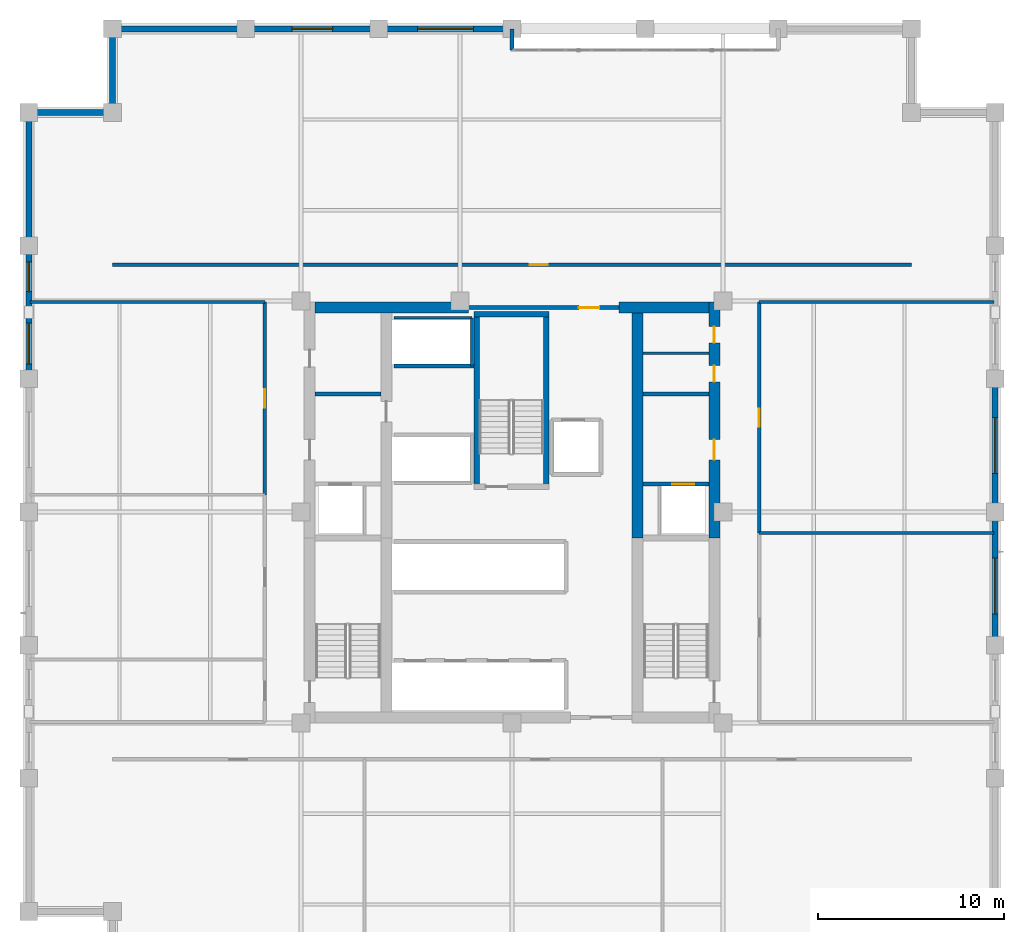
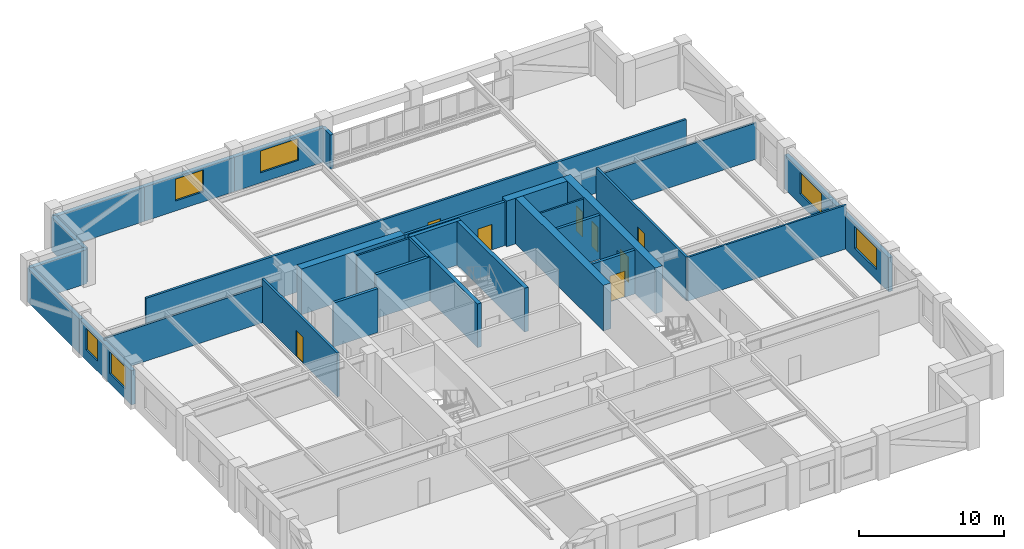
# One storey, part 8 of 11: 31 walls, 8 doors, 6 windows, 14 openings.
"""IFC4 building model written with IfcOpenShell, lengths in metres."""

from ifc_helpers import new_model, si_unit, direction, frame, frame_2d, origin, place, context, subcontext, project, spatial, rectangle, extrude, material, layer, layer_set, type_object, element, fill, save


model = new_model("IFC4")

# Units and contexts
model_context = context("Model", 3, precision=1e-05, world=origin(), true_north=direction((0.0, 1.0)))
body_context = subcontext(model_context, "Body", "Model", "MODEL_VIEW")
ifc_project = project(units=[si_unit("LENGTHUNIT", "METRE"), si_unit("AREAUNIT", "SQUARE_METRE"), si_unit("VOLUMEUNIT", "CUBIC_METRE"), si_unit("PLANEANGLEUNIT", "RADIAN"), si_unit("MASSUNIT", "GRAM", prefix="KILO")], contexts=[model_context])

# Site, building, storey
site_placement = place(None, origin())
site = spatial("IfcSite", under=ifc_project, at=site_placement, CompositionType="ELEMENT")
building_placement = place(site_placement, origin())
building = spatial("IfcBuilding", under=site, at=building_placement, Name="Nhamokura Convention Tower", CompositionType="ELEMENT")
storey_placement = place(building_placement, frame((0.0, 0.0, 133.699951171875)))
storey = spatial("IfcBuildingStorey", under=building, at=storey_placement, Name="L32", CompositionType="ELEMENT", Elevation=133.699951171875)

# Walls
ifc_material_1 = material(Name="Moisture-resistant tile-backer partition", Category="masonry")
ifc_layer_1 = layer(ifc_material_1, 0.139892578125)
ifc_layer_set_1 = layer_set([ifc_layer_1], Name="BathroomWetWall_140")
wall_type_1 = type_object("IfcWallType", Name="BathroomWetWall_140", PredefinedType="STANDARD", material=ifc_layer_set_1)
wall_1_placement = place(storey_placement, frame((39.06005859375, 40.550048828125, 0.0), z_axis=(0.0, 0.0, 1.0), x_axis=(1.0, 0.0, 0.0)))
element("IfcWall", 1, at=wall_1_placement, inside=storey, type_object=wall_type_1, Name="L32 Wall INT-L32-CWNE", PredefinedType="STANDARD", context=body_context, shape_type="SweptSolid", body=[
    extrude(rectangle(XDim=3.530029296875, YDim=0.139892578125, at=frame_2d((1.76513671875, 0.0))), origin(), (0.0, 0.0, 1.0), 3.68505859375),
])
ifc_material_2 = material(Name="Bronze-pigmented precast concrete C45/55", Category="concrete")
ifc_layer_2 = layer(ifc_material_2, 0.320068359375)
ifc_layer_set_2 = layer_set([ifc_layer_2], Name="BronzePrecastSpandrel_320")
wall_type_2 = type_object("IfcWallType", Name="BronzePrecastSpandrel_320", PredefinedType="USERDEFINED", material=ifc_layer_set_2)
wall_2_placement = place(storey_placement, frame((32.0, 58.0, 0.0), z_axis=(0.0, 0.0, 1.0), x_axis=(0.0, -1.0, 0.0)))
element("IfcWall", 2, at=wall_2_placement, inside=storey, type_object=wall_type_2, Name="L32 Scale Slot Cheek Wall NORTHA", ObjectType="SPANDREL_WALL", PredefinedType="USERDEFINED", context=body_context, shape_type="SweptSolid", body=[
    extrude(rectangle(XDim=1.14990234375, YDim=0.239990234375, at=frame_2d((0.574951171875, 0.0))), origin(), (0.0, 0.0, 1.0), 2.885009765625),
])
wall_3_placement = place(storey_placement, frame((10.5, 58.0, 0.0), z_axis=(0.0, 0.0, 1.0), x_axis=(1.0, 0.0, 0.0)))
element("IfcWall", 3, at=wall_3_placement, inside=storey, type_object=wall_type_2, Name="L32 Braced-Bay Precast Wall NORTH 0", ObjectType="SPANDREL_WALL", PredefinedType="USERDEFINED", context=body_context, shape_type="SweptSolid", body=[
    extrude(rectangle(XDim=7.166748046875, YDim=0.320068359375, at=frame_2d((3.58349609375, 0.0))), origin(), (0.0, 0.0, 1.0), 2.885009765625),
])

# Wall, opening, window
wall_4_placement = place(storey_placement, frame((17.666748046875, 58.0, 0.0), z_axis=(0.0, 0.0, 1.0), x_axis=(1.0, 0.0, 0.0)))
wall_4 = element("IfcWall", 4, at=wall_4_placement, inside=storey, type_object=wall_type_2, Name="L32 Masonry-Frame Wall NORTH 1", ObjectType="SPANDREL_WALL", PredefinedType="USERDEFINED", context=body_context, shape_type="SweptSolid", body=[
    extrude(rectangle(XDim=7.16650390625, YDim=0.320068359375, at=frame_2d((3.583251953125, 0.0))), origin(), (0.0, 0.0, 1.0), 2.885009765625),
])
opening_1_placement = place(wall_4_placement, frame((2.4833984375, 0.0, 0.85009765625)))
opening_1 = element("IfcOpeningElement", 5, at=opening_1_placement, cuts=wall_4, Name="Opening W-06", PredefinedType="OPENING", context=body_context, shape_type="SweptSolid", body=[
    extrude(rectangle(XDim=2.199951171875, YDim=1.8349609375, at=frame_2d((1.10009765625, 0.91748046875))), frame((0.0, 0.169921875, 0.0), z_axis=(0.0, -1.0, 0.0), x_axis=(1.0, 0.0, 0.0)), (0.0, 0.0, 1.0), 0.340087890625),
])
ifc_material_3 = material(Name="Solar-control bronze low-E double glass", Category="glass")
window_type_1 = type_object("IfcWindowType", Name="OfficeModuleWindow_Z2_2200", PartitioningType="SINGLE_PANEL", PredefinedType="WINDOW", material=ifc_material_3)
window_1_placement = place(opening_1_placement, origin())
window_1 = element("IfcWindow", 6, at=window_1_placement, inside=storey, type_object=window_type_1, Name="L32 Facade Window NORTH 1", OverallHeight=1.8349609375, OverallWidth=2.199951171875, PartitioningType="SINGLE_PANEL", PredefinedType="WINDOW", context=body_context, shape_type="SweptSolid", body=[
    extrude(rectangle(XDim=2.199951171875, YDim=1.8349609375, at=frame_2d((1.10009765625, 0.91748046875))), frame((0.0, 0.030029296875, 0.0), z_axis=(0.0, -1.0, 0.0), x_axis=(1.0, 0.0, 0.0)), (0.0, 0.0, 1.0), 0.06005859375),
])
fill(opening_1, window_1)

wall_5_placement = place(storey_placement, frame((24.833251953125, 58.0, 0.0), z_axis=(0.0, 0.0, 1.0), x_axis=(1.0, 0.0, 0.0)))
wall_5 = element("IfcWall", 7, at=wall_5_placement, inside=storey, type_object=wall_type_2, Name="L32 Masonry-Frame Wall NORTH 2", ObjectType="SPANDREL_WALL", PredefinedType="USERDEFINED", context=body_context, shape_type="SweptSolid", body=[
    extrude(rectangle(XDim=7.166748046875, YDim=0.320068359375, at=frame_2d((3.58349609375, 0.0))), origin(), (0.0, 0.0, 1.0), 2.885009765625),
])
opening_2_placement = place(wall_5_placement, frame((2.083251953125, 0.0, 0.85009765625)))
opening_2 = element("IfcOpeningElement", 8, at=opening_2_placement, cuts=wall_5, Name="Opening W-05", PredefinedType="OPENING", context=body_context, shape_type="SweptSolid", body=[
    extrude(rectangle(XDim=3.0, YDim=1.8349609375, at=frame_2d((1.5, 0.91748046875))), frame((0.0, 0.169921875, 0.0), z_axis=(0.0, -1.0, 0.0), x_axis=(1.0, 0.0, 0.0)), (0.0, 0.0, 1.0), 0.340087890625),
])
ifc_material_4 = material(Name="Solar-control bronze low-E double glass", Category="glass")
window_type_2 = type_object("IfcWindowType", Name="OfficeModuleWindow_Z2_3000", PartitioningType="DOUBLE_PANEL_VERTICAL", PredefinedType="WINDOW", material=ifc_material_4)
window_2_placement = place(opening_2_placement, origin())
window_2 = element("IfcWindow", 9, at=window_2_placement, inside=storey, type_object=window_type_2, Name="L32 Facade Window NORTH 2", OverallHeight=1.8349609375, OverallWidth=3.0, PartitioningType="SINGLE_PANEL", PredefinedType="WINDOW", context=body_context, shape_type="SweptSolid", body=[
    extrude(rectangle(XDim=3.0, YDim=1.8349609375, at=frame_2d((1.5, 0.91748046875))), frame((0.0, 0.030029296875, 0.0), z_axis=(0.0, -1.0, 0.0), x_axis=(1.0, 0.0, 0.0)), (0.0, 0.0, 1.0), 0.06005859375),
])
fill(opening_2, window_2)

# Wall, openings, windows
wall_6_placement = place(storey_placement, frame((6.0, 39.166748046875, 0.0), z_axis=(0.0, 0.0, 1.0), x_axis=(0.0, 1.0, 0.0)))
wall_6 = element("IfcWall", 10, at=wall_6_placement, inside=storey, type_object=wall_type_2, Name="L32 Masonry-Frame Wall WEST 4", ObjectType="SPANDREL_WALL", PredefinedType="USERDEFINED", context=body_context, shape_type="SweptSolid", body=[
    extrude(rectangle(XDim=7.16650390625, YDim=0.320068359375, at=frame_2d((3.583251953125, 0.0))), origin(), (0.0, 0.0, 1.0), 2.885009765625),
])
opening_3_placement = place(wall_6_placement, frame((0.791748046875, 0.0, 0.85009765625)))
opening_3 = element("IfcOpeningElement", 11, at=opening_3_placement, cuts=wall_6, Name="Opening W-06", PredefinedType="OPENING", context=body_context, shape_type="SweptSolid", body=[
    extrude(rectangle(XDim=2.199951171875, YDim=1.8349609375, at=frame_2d((1.10009765625, 0.91748046875))), frame((0.0, 0.169921875, 0.0), z_axis=(0.0, -1.0, 0.0), x_axis=(1.0, 0.0, 0.0)), (0.0, 0.0, 1.0), 0.340087890625),
])
opening_4_placement = place(wall_6_placement, frame((4.6875, 0.0, 0.85009765625)))
opening_4 = element("IfcOpeningElement", 12, at=opening_4_placement, cuts=wall_6, Name="Opening W-11", PredefinedType="OPENING", context=body_context, shape_type="SweptSolid", body=[
    extrude(rectangle(XDim=1.60009765625, YDim=1.8349609375, at=frame_2d((0.800048828125, 0.91748046875))), frame((0.0, 0.169921875, 0.0), z_axis=(0.0, -1.0, 0.0), x_axis=(1.0, 0.0, 0.0)), (0.0, 0.0, 1.0), 0.340087890625),
])
ifc_material_5 = material(Name="Solar-control bronze low-E double glass", Category="glass")
window_type_3 = type_object("IfcWindowType", Name="NotchCornerWindow_1600", PartitioningType="SINGLE_PANEL", PredefinedType="WINDOW", material=ifc_material_5)
window_3_placement = place(opening_4_placement, origin())
window_3 = element("IfcWindow", 13, at=window_3_placement, inside=storey, type_object=window_type_3, Name="L32 Facade Window WEST 4-2", OverallHeight=1.8349609375, OverallWidth=1.60009765625, PartitioningType="SINGLE_PANEL", PredefinedType="WINDOW", context=body_context, shape_type="SweptSolid", body=[
    extrude(rectangle(XDim=1.60009765625, YDim=1.8349609375, at=frame_2d((0.800048828125, 0.91748046875))), frame((0.0, 0.030029296875, 0.0), z_axis=(0.0, -1.0, 0.0), x_axis=(1.0, 0.0, 0.0)), (0.0, 0.0, 1.0), 0.06005859375),
])
fill(opening_4, window_3)
window_4_placement = place(opening_3_placement, origin())
window_4 = element("IfcWindow", 14, at=window_4_placement, inside=storey, type_object=window_type_1, Name="L32 Facade Window WEST 4-1", OverallHeight=1.8349609375, OverallWidth=2.199951171875, PartitioningType="SINGLE_PANEL", PredefinedType="WINDOW", context=body_context, shape_type="SweptSolid", body=[
    extrude(rectangle(XDim=2.199951171875, YDim=1.8349609375, at=frame_2d((1.10009765625, 0.91748046875))), frame((0.0, 0.030029296875, 0.0), z_axis=(0.0, -1.0, 0.0), x_axis=(1.0, 0.0, 0.0)), (0.0, 0.0, 1.0), 0.06005859375),
])
fill(opening_3, window_4)

# Wall
wall_7_placement = place(storey_placement, frame((6.0, 46.333251953125, 0.0), z_axis=(0.0, 0.0, 1.0), x_axis=(0.0, 1.0, 0.0)))
element("IfcWall", 15, at=wall_7_placement, inside=storey, type_object=wall_type_2, Name="L32 Braced-Bay Precast Wall WEST 5", ObjectType="SPANDREL_WALL", PredefinedType="USERDEFINED", context=body_context, shape_type="SweptSolid", body=[
    extrude(rectangle(XDim=7.166748046875, YDim=0.320068359375, at=frame_2d((3.58349609375, 0.0))), origin(), (0.0, 0.0, 1.0), 2.885009765625),
])

# Wall, opening, window
wall_8_placement = place(storey_placement, frame((58.0, 32.0, 0.0), z_axis=(0.0, 0.0, 1.0), x_axis=(0.0, -1.0, 0.0)))
wall_8 = element("IfcWall", 16, at=wall_8_placement, inside=storey, type_object=wall_type_2, Name="L32 Masonry-Frame Wall EAST 2", ObjectType="SPANDREL_WALL", PredefinedType="USERDEFINED", context=body_context, shape_type="SweptSolid", body=[
    extrude(rectangle(XDim=7.166748046875, YDim=0.320068359375, at=frame_2d((3.58349609375, 0.0))), origin(), (0.0, 0.0, 1.0), 2.885009765625),
])
opening_5_placement = place(wall_8_placement, frame((2.4833984375, 0.0, 0.85009765625)))
opening_5 = element("IfcOpeningElement", 17, at=opening_5_placement, cuts=wall_8, Name="Opening W-05", PredefinedType="OPENING", context=body_context, shape_type="SweptSolid", body=[
    extrude(rectangle(XDim=3.0, YDim=1.8349609375, at=frame_2d((1.5, 0.91748046875))), frame((0.0, 0.169921875, 0.0), z_axis=(0.0, -1.0, 0.0), x_axis=(1.0, 0.0, 0.0)), (0.0, 0.0, 1.0), 0.340087890625),
])
window_5_placement = place(opening_5_placement, origin())
window_5 = element("IfcWindow", 18, at=window_5_placement, inside=storey, type_object=window_type_2, Name="L32 Facade Window EAST 2-2", OverallHeight=1.8349609375, OverallWidth=3.0, PartitioningType="SINGLE_PANEL", PredefinedType="WINDOW", context=body_context, shape_type="SweptSolid", body=[
    extrude(rectangle(XDim=3.0, YDim=1.8349609375, at=frame_2d((1.5, 0.91748046875))), frame((0.0, 0.030029296875, 0.0), z_axis=(0.0, -1.0, 0.0), x_axis=(1.0, 0.0, 0.0)), (0.0, 0.0, 1.0), 0.06005859375),
])
fill(opening_5, window_5)

wall_9_placement = place(storey_placement, frame((58.0, 39.166748046875, 0.0), z_axis=(0.0, 0.0, 1.0), x_axis=(0.0, -1.0, 0.0)))
wall_9 = element("IfcWall", 19, at=wall_9_placement, inside=storey, type_object=wall_type_2, Name="L32 Masonry-Frame Wall EAST 3", ObjectType="SPANDREL_WALL", PredefinedType="USERDEFINED", context=body_context, shape_type="SweptSolid", body=[
    extrude(rectangle(XDim=7.166748046875, YDim=0.320068359375, at=frame_2d((3.58349609375, 0.0))), origin(), (0.0, 0.0, 1.0), 2.885009765625),
])
opening_6_placement = place(wall_9_placement, frame((2.083251953125, 0.0, 0.85009765625)))
opening_6 = element("IfcOpeningElement", 20, at=opening_6_placement, cuts=wall_9, Name="Opening W-05", PredefinedType="OPENING", context=body_context, shape_type="SweptSolid", body=[
    extrude(rectangle(XDim=3.0, YDim=1.8349609375, at=frame_2d((1.5, 0.91748046875))), frame((0.0, 0.169921875, 0.0), z_axis=(0.0, -1.0, 0.0), x_axis=(1.0, 0.0, 0.0)), (0.0, 0.0, 1.0), 0.340087890625),
])
window_6_placement = place(opening_6_placement, origin())
window_6 = element("IfcWindow", 21, at=window_6_placement, inside=storey, type_object=window_type_2, Name="L32 Facade Window EAST 3", OverallHeight=1.8349609375, OverallWidth=3.0, PartitioningType="SINGLE_PANEL", PredefinedType="WINDOW", context=body_context, shape_type="SweptSolid", body=[
    extrude(rectangle(XDim=3.0, YDim=1.8349609375, at=frame_2d((1.5, 0.91748046875))), frame((0.0, 0.030029296875, 0.0), z_axis=(0.0, -1.0, 0.0), x_axis=(1.0, 0.0, 0.0)), (0.0, 0.0, 1.0), 0.06005859375),
])
fill(opening_6, window_6)

# Walls
for number, where, z_axis, x_axis, name in (
    (22, (10.5, 53.5, 0.0), (0.0, 0.0, 1.0), (0.0, 1.0, 0.0), "L32 Notched Corner Wall NW1"),
    (23, (6.0, 53.5, 0.0), (0.0, 0.0, 1.0), (1.0, 0.0, 0.0), "L32 Notched Corner Wall NW2"),
):
    element("IfcWall", number, at=place(storey_placement, frame(where, z_axis=z_axis, x_axis=x_axis)), inside=storey, type_object=wall_type_2, Name=name, ObjectType="SPANDREL_WALL", PredefinedType="USERDEFINED", context=body_context, shape_type="SweptSolid", body=[
        extrude(rectangle(XDim=4.5, YDim=0.320068359375, at=frame_2d((2.25, 0.0))), origin(), (0.0, 0.0, 1.0), 2.885009765625),
    ])

# Wall, openings, doors
ifc_material_6 = material(Name="Concrete C60/75", Category="concrete")
ifc_layer_3 = layer(ifc_material_6, 0.60009765625)
ifc_layer_set_3 = layer_set([ifc_layer_3], Name="CoreShearWall_600")
wall_type_3 = type_object("IfcWallType", Name="CoreShearWall_600", PredefinedType="SHEAR", material=ifc_layer_set_3)
wall_10_placement = place(storey_placement, frame((42.889892578125, 30.60009765625, 0.0), z_axis=(0.0, 0.0, 1.0), x_axis=(0.0, 1.0, 0.0)))
wall_10 = element("IfcWall", 24, at=wall_10_placement, inside=storey, type_object=wall_type_3, Name="L32 Core Shear Wall CW-EN", PredefinedType="SHEAR", context=body_context, shape_type="SweptSolid", body=[
    extrude(rectangle(XDim=12.699951171875, YDim=0.60009765625, at=frame_2d((6.35009765625, 0.0))), origin(), (0.0, 0.0, 1.0), 3.85009765625),
])
opening_7_placement = place(wall_10_placement, frame((4.199951171875, 0.0, 0.0)))
opening_7 = element("IfcOpeningElement", 25, at=opening_7_placement, cuts=wall_10, Name="Opening D-05", PredefinedType="OPENING", context=body_context, shape_type="SweptSolid", body=[
    extrude(rectangle(XDim=1.10009765625, YDim=2.14990234375, at=frame_2d((0.550048828125, 1.074951171875))), frame((0.0, 0.31005859375, 0.0), z_axis=(0.0, -1.0, 0.0), x_axis=(1.0, 0.0, 0.0)), (0.0, 0.0, 1.0), 0.6201171875),
])
opening_8_placement = place(wall_10_placement, frame((8.39990234375, 0.0, 0.0)))
opening_8 = element("IfcOpeningElement", 26, at=opening_8_placement, cuts=wall_10, Name="Opening D-11", PredefinedType="OPENING", context=body_context, shape_type="SweptSolid", body=[
    extrude(rectangle(XDim=0.8798828125, YDim=2.10009765625, at=frame_2d((0.43994140625, 1.050048828125))), frame((0.0, 0.31005859375, 0.0), z_axis=(0.0, -1.0, 0.0), x_axis=(1.0, 0.0, 0.0)), (0.0, 0.0, 1.0), 0.6201171875),
])
opening_9_placement = place(wall_10_placement, frame((10.5, 0.0, 0.0)))
opening_9 = element("IfcOpeningElement", 27, at=opening_9_placement, cuts=wall_10, Name="Opening D-11", PredefinedType="OPENING", context=body_context, shape_type="SweptSolid", body=[
    extrude(rectangle(XDim=0.8798828125, YDim=2.10009765625, at=frame_2d((0.43994140625, 1.050048828125))), frame((0.0, 0.31005859375, 0.0), z_axis=(0.0, -1.0, 0.0), x_axis=(1.0, 0.0, 0.0)), (0.0, 0.0, 1.0), 0.6201171875),
])
ifc_material_7 = material(Name="Solid oak hardwood", Category="wood")
door_type_1 = type_object("IfcDoorType", Name="BathroomDoor_880", OperationType="NOTDEFINED", PredefinedType="DOOR", material=ifc_material_7)
door_1_placement = place(opening_8_placement, origin())
door_1 = element("IfcDoor", 28, at=door_1_placement, inside=storey, type_object=door_type_1, Name="L32 Core Door INT-L32-D-MWC", OperationType="SINGLE_SWING_RIGHT", OverallHeight=2.10009765625, OverallWidth=0.8798828125, PredefinedType="DOOR", context=body_context, shape_type="SweptSolid", body=[
    extrude(rectangle(XDim=0.8798828125, YDim=2.10009765625, at=frame_2d((0.43994140625, 1.050048828125))), frame((0.0, 0.02490234375, 0.0), z_axis=(0.0, -1.0, 0.0), x_axis=(1.0, 0.0, 0.0)), (0.0, 0.0, 1.0), 0.050048828125),
])
fill(opening_8, door_1)
door_2_placement = place(opening_9_placement, origin())
door_2 = element("IfcDoor", 29, at=door_2_placement, inside=storey, type_object=door_type_1, Name="L32 Core Door INT-L32-D-FWC", OperationType="SINGLE_SWING_LEFT", OverallHeight=2.10009765625, OverallWidth=0.8798828125, PredefinedType="DOOR", context=body_context, shape_type="SweptSolid", body=[
    extrude(rectangle(XDim=0.8798828125, YDim=2.10009765625, at=frame_2d((0.43994140625, 1.050048828125))), frame((0.0, 0.02490234375, 0.0), z_axis=(0.0, -1.0, 0.0), x_axis=(1.0, 0.0, 0.0)), (0.0, 0.0, 1.0), 0.050048828125),
])
fill(opening_9, door_2)
ifc_material_8 = material(Name="Fire-rated steel door", Category="steel")
door_type_2 = type_object("IfcDoorType", Name="FireLobbyDoor_1100", OperationType="NOTDEFINED", PredefinedType="DOOR", material=ifc_material_8)
door_3_placement = place(opening_7_placement, origin())
door_3 = element("IfcDoor", 30, at=door_3_placement, inside=storey, type_object=door_type_2, Name="L32 Core Door INT-L32-D-FFLE", OperationType="SINGLE_SWING_LEFT", OverallHeight=2.14990234375, OverallWidth=1.10009765625, PredefinedType="DOOR", context=body_context, shape_type="SweptSolid", body=[
    extrude(rectangle(XDim=1.10009765625, YDim=2.14990234375, at=frame_2d((0.550048828125, 1.074951171875))), frame((0.0, 0.02490234375, 0.0), z_axis=(0.0, -1.0, 0.0), x_axis=(1.0, 0.0, 0.0)), (0.0, 0.0, 1.0), 0.050048828125),
])
fill(opening_7, door_3)

# Walls
wall_11_placement = place(storey_placement, frame((21.409912109375, 43.0, 0.0), z_axis=(0.0, 0.0, 1.0), x_axis=(1.0, 0.0, 0.0)))
element("IfcWall", 31, at=wall_11_placement, inside=storey, type_object=wall_type_3, Name="L32 Core Shear Wall CW-N1", PredefinedType="SHEAR", context=body_context, shape_type="SweptSolid", body=[
    extrude(rectangle(XDim=8.239990234375, YDim=0.60009765625, at=frame_2d((4.1201171875, 0.0))), origin(), (0.0, 0.0, 1.0), 3.85009765625),
])
wall_12_placement = place(storey_placement, frame((37.75, 43.0, 0.0), z_axis=(0.0, 0.0, 1.0), x_axis=(1.0, 0.0, 0.0)))
element("IfcWall", 32, at=wall_12_placement, inside=storey, type_object=wall_type_3, Name="L32 Core Shear Wall CW-N2", PredefinedType="SHEAR", context=body_context, shape_type="SweptSolid", body=[
    extrude(rectangle(XDim=4.840087890625, YDim=0.60009765625, at=frame_2d((2.419921875, 0.0))), origin(), (0.0, 0.0, 1.0), 3.85009765625),
])
wall_13_placement = place(storey_placement, frame((38.760009765625, 30.60009765625, 0.0), z_axis=(0.0, 0.0, 1.0), x_axis=(0.0, 1.0, 0.0)))
element("IfcWall", 33, at=wall_13_placement, inside=storey, type_object=wall_type_3, Name="L32 Core Shear Wall CW-IEN", PredefinedType="SHEAR", context=body_context, shape_type="SweptSolid", body=[
    extrude(rectangle(XDim=12.099853515625, YDim=0.60009765625, at=frame_2d((6.0498046875, 0.0))), origin(), (0.0, 0.0, 1.0), 3.85009765625),
])

# Wall, opening, door
ifc_material_9 = material(Name="Fire-rated gypsum and masonry partition", Category="masonry")
ifc_layer_4 = layer(ifc_material_9, 0.179931640625)
ifc_layer_set_4 = layer_set([ifc_layer_4], Name="CorridorRatedWall_180")
wall_type_4 = type_object("IfcWallType", Name="CorridorRatedWall_180", PredefinedType="STANDARD", material=ifc_layer_set_4)
wall_14_placement = place(storey_placement, frame((10.5, 45.300048828125, 0.0), z_axis=(0.0, 0.0, 1.0), x_axis=(1.0, 0.0, 0.0)))
wall_14 = element("IfcWall", 34, at=wall_14_placement, inside=storey, type_object=wall_type_4, Name="L32 Wall INT-L32-CW-N00", PredefinedType="STANDARD", context=body_context, shape_type="SweptSolid", body=[
    extrude(rectangle(XDim=43.0, YDim=0.179931640625, at=frame_2d((21.5, 0.0))), origin(), (0.0, 0.0, 1.0), 3.68505859375),
])
opening_10_placement = place(wall_14_placement, frame((22.449951171875, 0.0, 0.0)))
opening_10 = element("IfcOpeningElement", 35, at=opening_10_placement, cuts=wall_14, Name="Opening D-08", PredefinedType="OPENING", context=body_context, shape_type="SweptSolid", body=[
    extrude(rectangle(XDim=0.97998046875, YDim=2.199951171875, at=frame_2d((0.489990234375, 1.10009765625))), frame((0.0, 0.099853515625, 0.0), z_axis=(0.0, -1.0, 0.0), x_axis=(1.0, 0.0, 0.0)), (0.0, 0.0, 1.0), 0.199951171875),
])
ifc_material_10 = material(Name="Solid oak hardwood", Category="wood")
door_type_3 = type_object("IfcDoorType", Name="OfficeEntryDoor_980", OperationType="NOTDEFINED", PredefinedType="DOOR", material=ifc_material_10)
door_4_placement = place(opening_10_placement, origin())
door_4 = element("IfcDoor", 36, at=door_4_placement, inside=storey, type_object=door_type_3, Name="L32 Lecture Hall N01 Door", OperationType="SINGLE_SWING_LEFT", OverallHeight=2.199951171875, OverallWidth=0.97998046875, PredefinedType="DOOR", context=body_context, shape_type="SweptSolid", body=[
    extrude(rectangle(XDim=0.97998046875, YDim=2.199951171875, at=frame_2d((0.489990234375, 1.10009765625))), frame((0.0, 0.02490234375, 0.0), z_axis=(0.0, -1.0, 0.0), x_axis=(1.0, 0.0, 0.0)), (0.0, 0.0, 1.0), 0.050048828125),
])
fill(opening_10, door_4)

wall_15_placement = place(storey_placement, frame((18.699951171875, 32.925048828125, 0.0), z_axis=(0.0, 0.0, 1.0), x_axis=(0.0, 1.0, 0.0)))
wall_15 = element("IfcWall", 37, at=wall_15_placement, inside=storey, type_object=wall_type_4, Name="L32 Wall INT-L32-CW-W02", PredefinedType="STANDARD", context=body_context, shape_type="SweptSolid", body=[
    extrude(rectangle(XDim=10.375, YDim=0.179931640625, at=frame_2d((5.1875, 0.0))), origin(), (0.0, 0.0, 1.0), 3.68505859375),
])
opening_11_placement = place(wall_15_placement, frame((4.6875, 0.0, 0.0)))
opening_11 = element("IfcOpeningElement", 38, at=opening_11_placement, cuts=wall_15, Name="Opening D-08", PredefinedType="OPENING", context=body_context, shape_type="SweptSolid", body=[
    extrude(rectangle(XDim=0.97998046875, YDim=2.199951171875, at=frame_2d((0.489990234375, 1.10009765625))), frame((0.0, 0.099853515625, 0.0), z_axis=(0.0, -1.0, 0.0), x_axis=(1.0, 0.0, 0.0)), (0.0, 0.0, 1.0), 0.199951171875),
])
door_5_placement = place(opening_11_placement, origin())
door_5 = element("IfcDoor", 39, at=door_5_placement, inside=storey, type_object=door_type_3, Name="L32 Private Office W03 Door", OperationType="SINGLE_SWING_LEFT", OverallHeight=2.199951171875, OverallWidth=0.97998046875, PredefinedType="DOOR", context=body_context, shape_type="SweptSolid", body=[
    extrude(rectangle(XDim=0.97998046875, YDim=2.199951171875, at=frame_2d((0.489990234375, 1.10009765625))), frame((0.0, 0.02490234375, 0.0), z_axis=(0.0, -1.0, 0.0), x_axis=(1.0, 0.0, 0.0)), (0.0, 0.0, 1.0), 0.050048828125),
])
fill(opening_11, door_5)

wall_16_placement = place(storey_placement, frame((45.300048828125, 30.875, 0.0), z_axis=(0.0, 0.0, 1.0), x_axis=(0.0, 1.0, 0.0)))
wall_16 = element("IfcWall", 40, at=wall_16_placement, inside=storey, type_object=wall_type_4, Name="L32 Wall INT-L32-CW-E01", PredefinedType="STANDARD", context=body_context, shape_type="SweptSolid", body=[
    extrude(rectangle(XDim=12.425048828125, YDim=0.179931640625, at=frame_2d((6.21240234375, 0.0))), origin(), (0.0, 0.0, 1.0), 3.68505859375),
])
opening_12_placement = place(wall_16_placement, frame((5.71240234375, 0.0, 0.0)))
opening_12 = element("IfcOpeningElement", 41, at=opening_12_placement, cuts=wall_16, Name="Opening D-08", PredefinedType="OPENING", context=body_context, shape_type="SweptSolid", body=[
    extrude(rectangle(XDim=0.97998046875, YDim=2.199951171875, at=frame_2d((0.489990234375, 1.10009765625))), frame((0.0, 0.099853515625, 0.0), z_axis=(0.0, -1.0, 0.0), x_axis=(1.0, 0.0, 0.0)), (0.0, 0.0, 1.0), 0.199951171875),
])
door_6_placement = place(opening_12_placement, origin())
door_6 = element("IfcDoor", 42, at=door_6_placement, inside=storey, type_object=door_type_3, Name="L32 Private Office E02 Door", OperationType="SINGLE_SWING_RIGHT", OverallHeight=2.199951171875, OverallWidth=0.97998046875, PredefinedType="DOOR", context=body_context, shape_type="SweptSolid", body=[
    extrude(rectangle(XDim=0.97998046875, YDim=2.199951171875, at=frame_2d((0.489990234375, 1.10009765625))), frame((0.0, 0.02490234375, 0.0), z_axis=(0.0, -1.0, 0.0), x_axis=(1.0, 0.0, 0.0)), (0.0, 0.0, 1.0), 0.050048828125),
])
fill(opening_12, door_6)

ifc_material_11 = material(Name="Autoclaved concrete blockwork", Category="masonry")
ifc_layer_5 = layer(ifc_material_11, 0.219970703125)
ifc_layer_set_5 = layer_set([ifc_layer_5], Name="FireLobbyWall_220")
wall_type_5 = type_object("IfcWallType", Name="FireLobbyWall_220", PredefinedType="STANDARD", material=ifc_layer_set_5)
wall_17_placement = place(storey_placement, frame((39.06005859375, 33.5, 0.0), z_axis=(0.0, 0.0, 1.0), x_axis=(1.0, 0.0, 0.0)))
wall_17 = element("IfcWall", 43, at=wall_17_placement, inside=storey, type_object=wall_type_5, Name="L32 Wall INT-L32-FFE-S", PredefinedType="STANDARD", context=body_context, shape_type="SweptSolid", body=[
    extrude(rectangle(XDim=3.530029296875, YDim=0.219970703125, at=frame_2d((1.76513671875, 0.0))), origin(), (0.0, 0.0, 1.0), 3.68505859375),
])
opening_13_placement = place(wall_17_placement, frame((1.550048828125, 0.0, 0.0)))
opening_13 = element("IfcOpeningElement", 44, at=opening_13_placement, cuts=wall_17, Name="Opening LD-02", PredefinedType="OPENING", context=body_context, shape_type="SweptSolid", body=[
    extrude(rectangle(XDim=1.199951171875, YDim=2.199951171875, at=frame_2d((0.60009765625, 1.10009765625))), frame((0.0, 0.119873046875, 0.0), z_axis=(0.0, -1.0, 0.0), x_axis=(1.0, 0.0, 0.0)), (0.0, 0.0, 1.0), 0.239990234375),
])
ifc_material_12 = material(Name="Anodised bronze stainless steel", Category="steel")
door_type_4 = type_object("IfcDoorType", Name="LiftLandingDoor_FireService", OperationType="DOUBLE_DOOR_SLIDING", PredefinedType="DOOR", material=ifc_material_12)
door_7_placement = place(opening_13_placement, origin())
door_7 = element("IfcDoor", 45, at=door_7_placement, inside=storey, type_object=door_type_4, Name="L32 Firefighting Lift LF-02 Door", OperationType="DOUBLE_DOOR_SLIDING", OverallHeight=2.199951171875, OverallWidth=1.199951171875, PredefinedType="DOOR", context=body_context, shape_type="SweptSolid", body=[
    extrude(rectangle(XDim=1.199951171875, YDim=2.199951171875, at=frame_2d((0.60009765625, 1.10009765625))), frame((0.0, 0.02490234375, 0.0), z_axis=(0.0, -1.0, 0.0), x_axis=(1.0, 0.0, 0.0)), (0.0, 0.0, 1.0), 0.050048828125),
])
fill(opening_13, door_7)

# Walls
for number, where, z_axis, x_axis, name in (
    (46, (21.409912109375, 38.35009765625, 0.0), (0.0, 0.0, 1.0), (1.0, 0.0, 0.0), "L32 Wall INT-L32-FFW-N"),
    (47, (39.06005859375, 38.35009765625, 0.0), (0.0, 0.0, 1.0), (1.0, 0.0, 0.0), "L32 Wall INT-L32-FFE-N"),
):
    element("IfcWall", number, at=place(storey_placement, frame(where, z_axis=z_axis, x_axis=x_axis)), inside=storey, type_object=wall_type_5, Name=name, PredefinedType="STANDARD", context=body_context, shape_type="SweptSolid", body=[
        extrude(rectangle(XDim=3.530029296875, YDim=0.219970703125, at=frame_2d((1.76513671875, 0.0))), origin(), (0.0, 0.0, 1.0), 3.68505859375),
    ])
wall_18_placement = place(storey_placement, frame((25.64990234375, 39.85009765625, 0.0), z_axis=(0.0, 0.0, 1.0), x_axis=(1.0, 0.0, 0.0)))
element("IfcWall", 48, at=wall_18_placement, inside=storey, type_object=wall_type_5, Name="L32 Wall INT-L32-B3N", PredefinedType="STANDARD", context=body_context, shape_type="SweptSolid", body=[
    extrude(rectangle(XDim=4.300048828125, YDim=0.219970703125, at=frame_2d((2.14990234375, 0.0))), origin(), (0.0, 0.0, 1.0), 3.68505859375),
])

# Wall, opening, door
wall_19_placement = place(storey_placement, frame((29.64990234375, 43.0, 0.0), z_axis=(0.0, 0.0, 1.0), x_axis=(1.0, 0.0, 0.0)))
wall_19 = element("IfcWall", 49, at=wall_19_placement, inside=storey, type_object=wall_type_5, Name="L32 Wall INT-L32-CPORT-N", PredefinedType="STANDARD", context=body_context, shape_type="SweptSolid", body=[
    extrude(rectangle(XDim=8.10009765625, YDim=0.219970703125, at=frame_2d((4.050048828125, 0.0))), origin(), (0.0, 0.0, 1.0), 3.68505859375),
])
opening_14_placement = place(wall_19_placement, frame((5.949951171875, 0.0, 0.0)))
opening_14 = element("IfcOpeningElement", 50, at=opening_14_placement, cuts=wall_19, Name="Opening D-05", PredefinedType="OPENING", context=body_context, shape_type="SweptSolid", body=[
    extrude(rectangle(XDim=1.10009765625, YDim=2.14990234375, at=frame_2d((0.550048828125, 1.074951171875))), frame((0.0, 0.119873046875, 0.0), z_axis=(0.0, -1.0, 0.0), x_axis=(1.0, 0.0, 0.0)), (0.0, 0.0, 1.0), 0.239990234375),
])
door_8_placement = place(opening_14_placement, origin())
door_8 = element("IfcDoor", 51, at=door_8_placement, inside=storey, type_object=door_type_2, Name="L32 North Core Lobby Portal Door", OperationType="SINGLE_SWING_RIGHT", OverallHeight=2.14990234375, OverallWidth=1.10009765625, PredefinedType="DOOR", context=body_context, shape_type="SweptSolid", body=[
    extrude(rectangle(XDim=1.10009765625, YDim=2.14990234375, at=frame_2d((0.550048828125, 1.074951171875))), frame((0.0, 0.02490234375, 0.0), z_axis=(0.0, -1.0, 0.0), x_axis=(1.0, 0.0, 0.0)), (0.0, 0.0, 1.0), 0.050048828125),
])
fill(opening_14, door_8)

# Walls
ifc_material_13 = material(Name="Acoustic gypsum stud partition", Category="masonry")
ifc_layer_6 = layer(ifc_material_13, 0.14990234375)
ifc_layer_set_6 = layer_set([ifc_layer_6], Name="InteriorPartition_150")
wall_type_6 = type_object("IfcWallType", Name="InteriorPartition_150", PredefinedType="STANDARD", material=ifc_layer_set_6)
wall_20_placement = place(storey_placement, frame((25.64990234375, 42.449951171875, 0.0), z_axis=(0.0, 0.0, 1.0), x_axis=(1.0, 0.0, 0.0)))
element("IfcWall", 52, at=wall_20_placement, inside=storey, type_object=wall_type_6, Name="L32 Wall INT-L32-B3B-N", PredefinedType="STANDARD", context=body_context, shape_type="SweptSolid", body=[
    extrude(rectangle(XDim=4.2001953125, YDim=0.14990234375, at=frame_2d((2.10009765625, 0.0))), origin(), (0.0, 0.0, 1.0), 3.68505859375),
])
wall_21_placement = place(storey_placement, frame((29.85009765625, 39.85009765625, 0.0), z_axis=(0.0, 0.0, 1.0), x_axis=(0.0, 1.0, 0.0)))
element("IfcWall", 53, at=wall_21_placement, inside=storey, type_object=wall_type_6, Name="L32 Wall INT-L32-B3B-E", PredefinedType="STANDARD", context=body_context, shape_type="SweptSolid", body=[
    extrude(rectangle(XDim=2.599853515625, YDim=0.14990234375, at=frame_2d((1.2998046875, 0.0))), origin(), (0.0, 0.0, 1.0), 3.68505859375),
])
for number, where, z_axis, x_axis, name in (
    (54, (6.06005859375, 43.300048828125, 0.0), (0.0, 0.0, 1.0), (1.0, 0.0, 0.0), "L32 Wall INT-L32-RWT-W"),
    (55, (45.300048828125, 43.300048828125, 0.0), (0.0, 0.0, 1.0), (1.0, 0.0, 0.0), "L32 Wall INT-L32-RWT-E"),
):
    element("IfcWall", number, at=place(storey_placement, frame(where, z_axis=z_axis, x_axis=x_axis)), inside=storey, type_object=wall_type_6, Name=name, PredefinedType="STANDARD", context=body_context, shape_type="SweptSolid", body=[
        extrude(rectangle(XDim=12.639892578125, YDim=0.14990234375, at=frame_2d((6.31982421875, 0.0))), origin(), (0.0, 0.0, 1.0), 3.06494140625),
    ])
wall_22_placement = place(storey_placement, frame((45.300048828125, 30.875, 0.0), z_axis=(0.0, 0.0, 1.0), x_axis=(1.0, 0.0, 0.0)))
element("IfcWall", 56, at=wall_22_placement, inside=storey, type_object=wall_type_6, Name="L32 Wall INT-L32-RW-E01", PredefinedType="STANDARD", context=body_context, shape_type="SweptSolid", body=[
    extrude(rectangle(XDim=12.639892578125, YDim=0.14990234375, at=frame_2d((6.31982421875, 0.0))), origin(), (0.0, 0.0, 1.0), 3.68505859375),
])
ifc_material_14 = material(Name="Concrete C50/60", Category="concrete")
ifc_layer_7 = layer(ifc_material_14, 0.300048828125)
ifc_layer_set_7 = layer_set([ifc_layer_7], Name="ShaftEnclosureWall_300")
wall_type_7 = type_object("IfcWallType", Name="ShaftEnclosureWall_300", PredefinedType="SHEAR", material=ifc_layer_set_7)
for number, where, z_axis, x_axis, name in (
    (57, (30.10009765625, 33.199951171875, 0.0), (0.0, 0.0, 1.0), (0.0, 1.0, 0.0), "L32 Wall INT-L32-ST03W"),
    (58, (33.85009765625, 33.199951171875, 0.0), (0.0, 0.0, 1.0), (0.0, 1.0, 0.0), "L32 Wall INT-L32-ST03E"),
):
    element("IfcWall", number, at=place(storey_placement, frame(where, z_axis=z_axis, x_axis=x_axis)), inside=storey, type_object=wall_type_7, Name=name, PredefinedType="SHEAR", context=body_context, shape_type="SweptSolid", body=[
        extrude(rectangle(XDim=9.60009765625, YDim=0.300048828125, at=frame_2d((4.800048828125, 0.0))), origin(), (0.0, 0.0, 1.0), 3.68505859375),
    ])
wall_23_placement = place(storey_placement, frame((29.949951171875, 42.64990234375, 0.0), z_axis=(0.0, 0.0, 1.0), x_axis=(1.0, 0.0, 0.0)))
element("IfcWall", 59, at=wall_23_placement, inside=storey, type_object=wall_type_7, Name="L32 Wall INT-L32-ST03N", PredefinedType="SHEAR", context=body_context, shape_type="SweptSolid", body=[
    extrude(rectangle(XDim=4.050048828125, YDim=0.300048828125, at=frame_2d((2.02490234375, 0.0))), origin(), (0.0, 0.0, 1.0), 3.68505859375),
])

save(model, "model.ifc")
